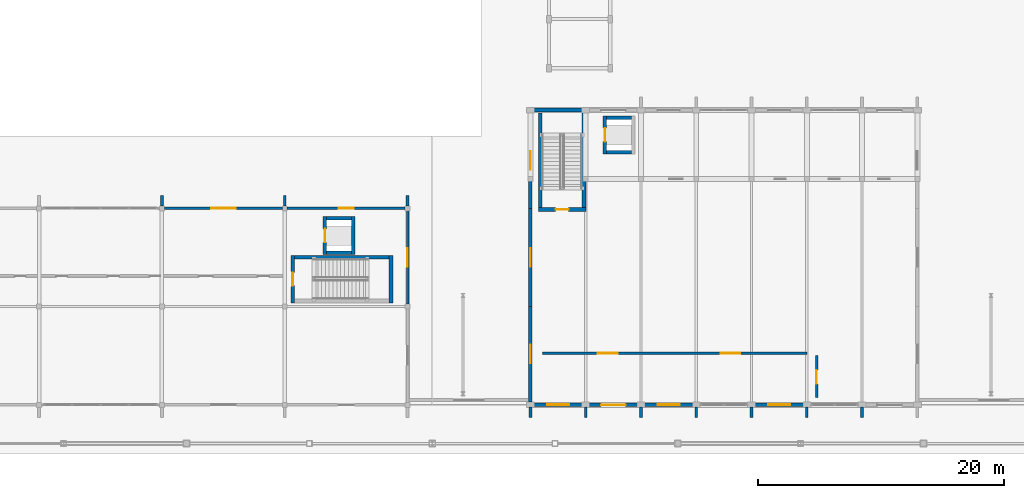
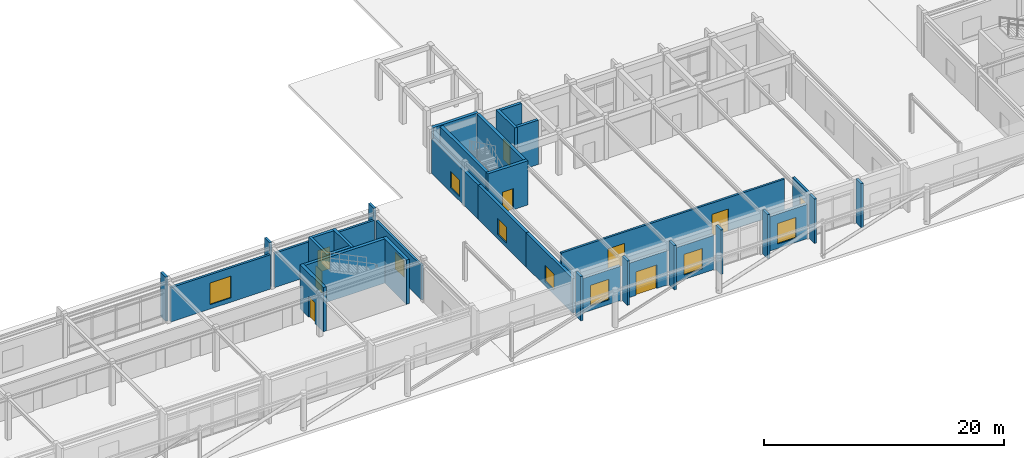
# One storey, part 26 of 61: 36 walls, 9 doors, 8 windows, 17 openings.
"""IFC4 building model written with IfcOpenShell, lengths in metres."""

from ifc_helpers import new_model, si_unit, direction, frame, frame_2d, origin, place, context, subcontext, project, spatial, rectangle, extrude, material, layer, layer_set, type_object, element, fill, save


model = new_model("IFC4")

# Units and contexts
model_context = context("Model", 3, precision=1e-05, world=origin(), true_north=direction((0.0, 1.0)))
body_context = subcontext(model_context, "Body", "Model", "MODEL_VIEW")
ifc_project = project(units=[si_unit("LENGTHUNIT", "METRE"), si_unit("AREAUNIT", "SQUARE_METRE"), si_unit("VOLUMEUNIT", "CUBIC_METRE"), si_unit("PLANEANGLEUNIT", "RADIAN"), si_unit("MASSUNIT", "GRAM", prefix="KILO")], contexts=[model_context])

# Site, building, storey
site_placement = place(None, origin())
site = spatial("IfcSite", under=ifc_project, at=site_placement, CompositionType="ELEMENT")
building_placement = place(site_placement, origin())
building = spatial("IfcBuilding", under=site, at=building_placement, Name="Zimvara Arc Housing Community", CompositionType="ELEMENT")
storey_placement = place(building_placement, origin())
storey = spatial("IfcBuildingStorey", under=building, at=storey_placement, Name="L00", CompositionType="ELEMENT", Elevation=0.0)

# Wall, opening, window
ifc_material_1 = material(Name="Board-Marked Fair-Faced Concrete C40/50", Category="concrete")
ifc_layer_1 = layer(ifc_material_1, 0.284912109375)
ifc_layer_set_1 = layer_set([ifc_layer_1], Name="Board-Marked Fair-Faced Concrete C40/50")
wall_type_1 = type_object("IfcWallType", Name="EWL-HALL-285", PredefinedType="SOLIDWALL", material=ifc_layer_set_1)
wall_1_placement = place(storey_placement, frame((68.25, 3.60009765625, 0.0), z_axis=(0.0, 0.0, 1.0), x_axis=(1.0, 0.0, 0.0)))
wall_1 = element("IfcWall", 1, at=wall_1_placement, inside=storey, type_object=wall_type_1, Name="ewall:hall:L00:south:b0", PredefinedType="SOLIDWALL", context=body_context, shape_type="SweptSolid", body=[
    extrude(rectangle(XDim=4.0, YDim=0.284912109375, at=frame_2d((2.0, 0.0))), origin(), (0.0, 0.0, 1.0), 3.5),
])
opening_1_placement = place(wall_1_placement, frame((1.10009765625, 0.0, 0.449951171875)))
opening_1 = element("IfcOpeningElement", 2, at=opening_1_placement, cuts=wall_1, Name="Opening W17", PredefinedType="OPENING", context=body_context, shape_type="SweptSolid", body=[
    extrude(rectangle(XDim=1.800048828125, YDim=2.10009765625, at=frame_2d((0.89990234375, 1.050048828125))), frame((0.0, 0.15234375, 0.0), z_axis=(0.0, -1.0, 0.0), x_axis=(1.0, 0.0, 0.0)), (0.0, 0.0, 1.0), 0.304931640625),
])
ifc_material_2 = material(Name="Solar Control Low-E Double Glazing", Category="glass")
window_type_1 = type_object("IfcWindowType", Name="WIN-HALL-1800x2100", PartitioningType="DOUBLE_PANEL_HORIZONTAL", PredefinedType="WINDOW", material=ifc_material_2)
window_1_placement = place(opening_1_placement, origin())
window_1 = element("IfcWindow", 3, at=window_1_placement, inside=storey, type_object=window_type_1, Name="win:hall:L00:south:b0", OverallHeight=2.10009765625, OverallWidth=1.800048828125, PartitioningType="DOUBLE_PANEL_HORIZONTAL", PredefinedType="WINDOW", context=body_context, shape_type="SweptSolid", body=[
    extrude(rectangle(XDim=1.800048828125, YDim=2.10009765625, at=frame_2d((0.89990234375, 1.050048828125))), frame((0.0, 0.030029296875, 0.0), z_axis=(0.0, -1.0, 0.0), x_axis=(1.0, 0.0, 0.0)), (0.0, 0.0, 1.0), 0.06005859375),
])
fill(opening_1, window_1)

# Wall, opening, door
wall_2_placement = place(storey_placement, frame((72.75, 3.60009765625, 0.0), z_axis=(0.0, 0.0, 1.0), x_axis=(1.0, 0.0, 0.0)))
wall_2 = element("IfcWall", 4, at=wall_2_placement, inside=storey, type_object=wall_type_1, Name="ewall:hall:L00:south:b1", PredefinedType="SOLIDWALL", context=body_context, shape_type="SweptSolid", body=[
    extrude(rectangle(XDim=4.0, YDim=0.284912109375, at=frame_2d((2.0, 0.0))), origin(), (0.0, 0.0, 1.0), 3.5),
])
opening_2_placement = place(wall_2_placement, frame((1.0, 0.0, 0.0)))
opening_2 = element("IfcOpeningElement", 5, at=opening_2_placement, cuts=wall_2, Name="Opening ED03", PredefinedType="OPENING", context=body_context, shape_type="SweptSolid", body=[
    extrude(rectangle(XDim=2.0, YDim=2.39990234375, at=frame_2d((1.0, 1.199951171875))), frame((0.0, 0.15234375, 0.0), z_axis=(0.0, -1.0, 0.0), x_axis=(1.0, 0.0, 0.0)), (0.0, 0.0, 1.0), 0.304931640625),
])
ifc_material_3 = material(Name="Anodised Aluminium AW-6063", Category="aluminium")
door_type_1 = type_object("IfcDoorType", Name="EDR-HALL-2000x2400", OperationType="DOUBLE_DOOR_SINGLE_SWING", PredefinedType="DOOR", material=ifc_material_3)
door_1_placement = place(opening_2_placement, origin())
door_1 = element("IfcDoor", 6, at=door_1_placement, inside=storey, type_object=door_type_1, Name="edoor:hall:L00:south:b1", OperationType="DOUBLE_DOOR_SINGLE_SWING", OverallHeight=2.39990234375, OverallWidth=2.0, PredefinedType="DOOR", context=body_context, shape_type="SweptSolid", body=[
    extrude(rectangle(XDim=2.0, YDim=2.39990234375, at=frame_2d((1.0, 1.199951171875))), frame((0.0, 0.02490234375, 0.0), z_axis=(0.0, -1.0, 0.0), x_axis=(1.0, 0.0, 0.0)), (0.0, 0.0, 1.0), 0.050048828125),
])
fill(opening_2, door_1)

# Wall, opening, window
wall_3_placement = place(storey_placement, frame((77.25, 3.60009765625, 0.0), z_axis=(0.0, 0.0, 1.0), x_axis=(1.0, 0.0, 0.0)))
wall_3 = element("IfcWall", 7, at=wall_3_placement, inside=storey, type_object=wall_type_1, Name="ewall:hall:L00:south:b2", PredefinedType="SOLIDWALL", context=body_context, shape_type="SweptSolid", body=[
    extrude(rectangle(XDim=4.0, YDim=0.284912109375, at=frame_2d((2.0, 0.0))), origin(), (0.0, 0.0, 1.0), 3.5),
])
opening_3_placement = place(wall_3_placement, frame((1.10009765625, 0.0, 0.449951171875)))
opening_3 = element("IfcOpeningElement", 8, at=opening_3_placement, cuts=wall_3, Name="Opening W17", PredefinedType="OPENING", context=body_context, shape_type="SweptSolid", body=[
    extrude(rectangle(XDim=1.800048828125, YDim=2.10009765625, at=frame_2d((0.89990234375, 1.050048828125))), frame((0.0, 0.15234375, 0.0), z_axis=(0.0, -1.0, 0.0), x_axis=(1.0, 0.0, 0.0)), (0.0, 0.0, 1.0), 0.304931640625),
])
window_2_placement = place(opening_3_placement, origin())
window_2 = element("IfcWindow", 9, at=window_2_placement, inside=storey, type_object=window_type_1, Name="win:hall:L00:south:b2", OverallHeight=2.10009765625, OverallWidth=1.800048828125, PartitioningType="DOUBLE_PANEL_HORIZONTAL", PredefinedType="WINDOW", context=body_context, shape_type="SweptSolid", body=[
    extrude(rectangle(XDim=1.800048828125, YDim=2.10009765625, at=frame_2d((0.89990234375, 1.050048828125))), frame((0.0, 0.030029296875, 0.0), z_axis=(0.0, -1.0, 0.0), x_axis=(1.0, 0.0, 0.0)), (0.0, 0.0, 1.0), 0.06005859375),
])
fill(opening_3, window_2)

wall_4_placement = place(storey_placement, frame((86.25, 3.60009765625, 0.0), z_axis=(0.0, 0.0, 1.0), x_axis=(1.0, 0.0, 0.0)))
wall_4 = element("IfcWall", 10, at=wall_4_placement, inside=storey, type_object=wall_type_1, Name="ewall:hall:L00:south:b4", PredefinedType="SOLIDWALL", context=body_context, shape_type="SweptSolid", body=[
    extrude(rectangle(XDim=4.0, YDim=0.284912109375, at=frame_2d((2.0, 0.0))), origin(), (0.0, 0.0, 1.0), 3.5),
])
opening_4_placement = place(wall_4_placement, frame((1.10009765625, 0.0, 0.449951171875)))
opening_4 = element("IfcOpeningElement", 11, at=opening_4_placement, cuts=wall_4, Name="Opening W17", PredefinedType="OPENING", context=body_context, shape_type="SweptSolid", body=[
    extrude(rectangle(XDim=1.800048828125, YDim=2.10009765625, at=frame_2d((0.89990234375, 1.050048828125))), frame((0.0, 0.15234375, 0.0), z_axis=(0.0, -1.0, 0.0), x_axis=(1.0, 0.0, 0.0)), (0.0, 0.0, 1.0), 0.304931640625),
])
window_3_placement = place(opening_4_placement, origin())
window_3 = element("IfcWindow", 12, at=window_3_placement, inside=storey, type_object=window_type_1, Name="win:hall:L00:south:b4", OverallHeight=2.10009765625, OverallWidth=1.800048828125, PartitioningType="DOUBLE_PANEL_HORIZONTAL", PredefinedType="WINDOW", context=body_context, shape_type="SweptSolid", body=[
    extrude(rectangle(XDim=1.800048828125, YDim=2.10009765625, at=frame_2d((0.89990234375, 1.050048828125))), frame((0.0, 0.030029296875, 0.0), z_axis=(0.0, -1.0, 0.0), x_axis=(1.0, 0.0, 0.0)), (0.0, 0.0, 1.0), 0.06005859375),
])
fill(opening_4, window_3)

wall_5_placement = place(storey_placement, frame((68.0, 3.85009765625, 0.0), z_axis=(0.0, 0.0, 1.0), x_axis=(0.0, 1.0, 0.0)))
wall_5 = element("IfcWall", 13, at=wall_5_placement, inside=storey, type_object=wall_type_1, Name="ewall:hall:L00:west:b0", PredefinedType="SOLIDWALL", context=body_context, shape_type="SweptSolid", body=[
    extrude(rectangle(XDim=7.75, YDim=0.284912109375, at=frame_2d((3.875, 0.0))), origin(), (0.0, 0.0, 1.0), 3.5),
])
opening_5_placement = place(wall_5_placement, frame((3.125, 0.0, 0.449951171875)))
opening_5 = element("IfcOpeningElement", 14, at=opening_5_placement, cuts=wall_5, Name="Opening W07", PredefinedType="OPENING", context=body_context, shape_type="SweptSolid", body=[
    extrude(rectangle(XDim=1.5, YDim=1.64990234375, at=frame_2d((0.75, 0.824951171875))), frame((0.0, 0.15234375, 0.0), z_axis=(0.0, -1.0, 0.0), x_axis=(1.0, 0.0, 0.0)), (0.0, 0.0, 1.0), 0.304931640625),
])
ifc_material_4 = material(Name="Solar Control Low-E Double Glazing", Category="glass")
window_type_2 = type_object("IfcWindowType", Name="WIN-RES-1500x1650", PartitioningType="DOUBLE_PANEL_VERTICAL", PredefinedType="WINDOW", material=ifc_material_4)
window_4_placement = place(opening_5_placement, origin())
window_4 = element("IfcWindow", 15, at=window_4_placement, inside=storey, type_object=window_type_2, Name="win:hall:L00:west:b0", OverallHeight=1.64990234375, OverallWidth=1.5, PartitioningType="DOUBLE_PANEL_VERTICAL", PredefinedType="WINDOW", context=body_context, shape_type="SweptSolid", body=[
    extrude(rectangle(XDim=1.5, YDim=1.64990234375, at=frame_2d((0.75, 0.824951171875))), frame((0.0, 0.030029296875, 0.0), z_axis=(0.0, -1.0, 0.0), x_axis=(1.0, 0.0, 0.0)), (0.0, 0.0, 1.0), 0.06005859375),
])
fill(opening_5, window_4)

wall_6_placement = place(storey_placement, frame((68.0, 11.60009765625, 0.0), z_axis=(0.0, 0.0, 1.0), x_axis=(0.0, 1.0, 0.0)))
wall_6 = element("IfcWall", 16, at=wall_6_placement, inside=storey, type_object=wall_type_1, Name="ewall:hall:L00:west:b1", PredefinedType="SOLIDWALL", context=body_context, shape_type="SweptSolid", body=[
    extrude(rectangle(XDim=8.0, YDim=0.284912109375, at=frame_2d((4.0, 0.0))), origin(), (0.0, 0.0, 1.0), 3.5),
])
opening_6_placement = place(wall_6_placement, frame((3.25, 0.0, 0.449951171875)))
opening_6 = element("IfcOpeningElement", 17, at=opening_6_placement, cuts=wall_6, Name="Opening W07", PredefinedType="OPENING", context=body_context, shape_type="SweptSolid", body=[
    extrude(rectangle(XDim=1.5, YDim=1.64990234375, at=frame_2d((0.75, 0.824951171875))), frame((0.0, 0.15234375, 0.0), z_axis=(0.0, -1.0, 0.0), x_axis=(1.0, 0.0, 0.0)), (0.0, 0.0, 1.0), 0.304931640625),
])
window_5_placement = place(opening_6_placement, origin())
window_5 = element("IfcWindow", 18, at=window_5_placement, inside=storey, type_object=window_type_2, Name="win:hall:L00:west:b1", OverallHeight=1.64990234375, OverallWidth=1.5, PartitioningType="DOUBLE_PANEL_VERTICAL", PredefinedType="WINDOW", context=body_context, shape_type="SweptSolid", body=[
    extrude(rectangle(XDim=1.5, YDim=1.64990234375, at=frame_2d((0.75, 0.824951171875))), frame((0.0, 0.030029296875, 0.0), z_axis=(0.0, -1.0, 0.0), x_axis=(1.0, 0.0, 0.0)), (0.0, 0.0, 1.0), 0.06005859375),
])
fill(opening_6, window_5)

wall_7_placement = place(storey_placement, frame((68.0, 19.60009765625, 0.0), z_axis=(0.0, 0.0, 1.0), x_axis=(0.0, 1.0, 0.0)))
wall_7 = element("IfcWall", 19, at=wall_7_placement, inside=storey, type_object=wall_type_1, Name="ewall:hall:L00:west:b2", PredefinedType="SOLIDWALL", context=body_context, shape_type="SweptSolid", body=[
    extrude(rectangle(XDim=7.75, YDim=0.284912109375, at=frame_2d((3.875, 0.0))), origin(), (0.0, 0.0, 1.0), 3.5),
])
opening_7_placement = place(wall_7_placement, frame((3.125, 0.0, 0.449951171875)))
opening_7 = element("IfcOpeningElement", 20, at=opening_7_placement, cuts=wall_7, Name="Opening W07", PredefinedType="OPENING", context=body_context, shape_type="SweptSolid", body=[
    extrude(rectangle(XDim=1.5, YDim=1.64990234375, at=frame_2d((0.75, 0.824951171875))), frame((0.0, 0.15234375, 0.0), z_axis=(0.0, -1.0, 0.0), x_axis=(1.0, 0.0, 0.0)), (0.0, 0.0, 1.0), 0.304931640625),
])
window_6_placement = place(opening_7_placement, origin())
window_6 = element("IfcWindow", 21, at=window_6_placement, inside=storey, type_object=window_type_2, Name="win:hall:L00:west:b2", OverallHeight=1.64990234375, OverallWidth=1.5, PartitioningType="DOUBLE_PANEL_VERTICAL", PredefinedType="WINDOW", context=body_context, shape_type="SweptSolid", body=[
    extrude(rectangle(XDim=1.5, YDim=1.64990234375, at=frame_2d((0.75, 0.824951171875))), frame((0.0, 0.030029296875, 0.0), z_axis=(0.0, -1.0, 0.0), x_axis=(1.0, 0.0, 0.0)), (0.0, 0.0, 1.0), 0.06005859375),
])
fill(opening_7, window_6)

# Walls
ifc_material_5 = material(Name="Board-Marked Fair-Faced Concrete C35/45", Category="concrete")
ifc_layer_2 = layer(ifc_material_5, 0.219970703125)
ifc_layer_set_2 = layer_set([ifc_layer_2], Name="Board-Marked Fair-Faced Concrete C35/45")
wall_type_2 = type_object("IfcWallType", Name="EWL-PARA-220", PredefinedType="PARAPET", material=ifc_layer_set_2)
for number, where, z_axis, x_axis, name in (
    (22, (68.0, 2.550048828125, 0.0), (0.0, 0.0, 1.0), (0.0, 1.0, 0.0), "finwall:hall:L00:s:0"),
    (23, (72.5, 2.550048828125, 0.0), (0.0, 0.0, 1.0), (0.0, 1.0, 0.0), "finwall:hall:L00:s:1"),
    (24, (77.0, 2.550048828125, 0.0), (0.0, 0.0, 1.0), (0.0, 1.0, 0.0), "finwall:hall:L00:s:2"),
    (25, (81.5, 2.550048828125, 0.0), (0.0, 0.0, 1.0), (0.0, 1.0, 0.0), "finwall:hall:L00:s:3"),
    (26, (86.0, 2.550048828125, 0.0), (0.0, 0.0, 1.0), (0.0, 1.0, 0.0), "finwall:hall:L00:s:4"),
    (27, (90.5, 2.550048828125, 0.0), (0.0, 0.0, 1.0), (0.0, 1.0, 0.0), "finwall:hall:L00:s:5"),
    (28, (95.0, 2.550048828125, 0.0), (0.0, 0.0, 1.0), (0.0, 1.0, 0.0), "finwall:hall:L00:s:6"),
    (29, (38.0, 19.780029296875, 0.0), (0.0, 0.0, 1.0), (0.0, 1.0, 0.0), "finwall:shops:L00:n:4"),
    (30, (48.0, 19.780029296875, 0.0), (0.0, 0.0, 1.0), (0.0, 1.0, 0.0), "finwall:shops:L00:n:5"),
    (31, (58.0, 19.780029296875, 0.0), (0.0, 0.0, 1.0), (0.0, 1.0, 0.0), "finwall:shops:L00:n:6"),
):
    element("IfcWall", number, at=place(storey_placement, frame(where, z_axis=z_axis, x_axis=x_axis)), inside=storey, type_object=wall_type_2, Name=name, PredefinedType="PARAPET", context=body_context, shape_type="SweptSolid", body=[
        extrude(rectangle(XDim=0.869873046875, YDim=0.219970703125, at=frame_2d((0.43505859375, 0.0))), origin(), (0.0, 0.0, 1.0), 4.5),
    ])

# Wall, opening, window
ifc_material_6 = material(Name="Board-Marked Fair-Faced Concrete C35/45", Category="concrete")
ifc_layer_3 = layer(ifc_material_6, 0.215087890625)
ifc_layer_set_3 = layer_set([ifc_layer_3], Name="Board-Marked Fair-Faced Concrete C35/45")
wall_type_3 = type_object("IfcWallType", Name="EWL-SHOP-215", PredefinedType="SOLIDWALL", material=ifc_layer_set_3)
wall_8_placement = place(storey_placement, frame((38.195068359375, 19.60009765625, 0.0), z_axis=(0.0, 0.0, 1.0), x_axis=(1.0, 0.0, 0.0)))
wall_8 = element("IfcWall", 32, at=wall_8_placement, inside=storey, type_object=wall_type_3, Name="ewall:shops:L00:north:b4", PredefinedType="SOLIDWALL", context=body_context, shape_type="SweptSolid", body=[
    extrude(rectangle(XDim=9.60986328125, YDim=0.215087890625, at=frame_2d((4.804931640625, 0.0))), origin(), (0.0, 0.0, 1.0), 3.5),
])
opening_8_placement = place(wall_8_placement, frame((3.804931640625, 0.0, 0.449951171875)))
opening_8 = element("IfcOpeningElement", 33, at=opening_8_placement, cuts=wall_8, Name="Opening W19", PredefinedType="OPENING", context=body_context, shape_type="SweptSolid", body=[
    extrude(rectangle(XDim=2.0, YDim=2.199951171875, at=frame_2d((1.0, 1.10009765625))), frame((0.0, 0.117431640625, 0.0), z_axis=(0.0, -1.0, 0.0), x_axis=(1.0, 0.0, 0.0)), (0.0, 0.0, 1.0), 0.235107421875),
])
ifc_material_7 = material(Name="Solar Control Low-E Double Glazing", Category="glass")
window_type_3 = type_object("IfcWindowType", Name="WIN-SHOP-2000x2200", PartitioningType="DOUBLE_PANEL_VERTICAL", PredefinedType="WINDOW", material=ifc_material_7)
window_7_placement = place(opening_8_placement, origin())
window_7 = element("IfcWindow", 34, at=window_7_placement, inside=storey, type_object=window_type_3, Name="win:shops:L00:north:b4", OverallHeight=2.199951171875, OverallWidth=2.0, PartitioningType="DOUBLE_PANEL_VERTICAL", PredefinedType="WINDOW", context=body_context, shape_type="SweptSolid", body=[
    extrude(rectangle(XDim=2.0, YDim=2.199951171875, at=frame_2d((1.0, 1.10009765625))), frame((0.0, 0.030029296875, 0.0), z_axis=(0.0, -1.0, 0.0), x_axis=(1.0, 0.0, 0.0)), (0.0, 0.0, 1.0), 0.06005859375),
])
fill(opening_8, window_7)

# Wall, opening, door
wall_9_placement = place(storey_placement, frame((48.195068359375, 19.60009765625, 0.0), z_axis=(0.0, 0.0, 1.0), x_axis=(1.0, 0.0, 0.0)))
wall_9 = element("IfcWall", 35, at=wall_9_placement, inside=storey, type_object=wall_type_3, Name="ewall:shops:L00:north:b5", PredefinedType="SOLIDWALL", context=body_context, shape_type="SweptSolid", body=[
    extrude(rectangle(XDim=9.60986328125, YDim=0.215087890625, at=frame_2d((4.804931640625, 0.0))), origin(), (0.0, 0.0, 1.0), 3.5),
])
opening_9_placement = place(wall_9_placement, frame((4.205078125, 0.0, 0.0)))
opening_9 = element("IfcOpeningElement", 36, at=opening_9_placement, cuts=wall_9, Name="Opening ED04", PredefinedType="OPENING", context=body_context, shape_type="SweptSolid", body=[
    extrude(rectangle(XDim=1.199951171875, YDim=2.25, at=frame_2d((0.60009765625, 1.125))), frame((0.0, 0.117431640625, 0.0), z_axis=(0.0, -1.0, 0.0), x_axis=(1.0, 0.0, 0.0)), (0.0, 0.0, 1.0), 0.235107421875),
])
ifc_material_8 = material(Name="Anodised Aluminium AW-6063", Category="aluminium")
door_type_2 = type_object("IfcDoorType", Name="EDR-SHOP-1200x2250", OperationType="NOTDEFINED", PredefinedType="DOOR", material=ifc_material_8)
door_2_placement = place(opening_9_placement, origin())
door_2 = element("IfcDoor", 37, at=door_2_placement, inside=storey, type_object=door_type_2, Name="edoor:shops:L00:north:b5", OperationType="SINGLE_SWING_RIGHT", OverallHeight=2.25, OverallWidth=1.199951171875, PredefinedType="DOOR", context=body_context, shape_type="SweptSolid", body=[
    extrude(rectangle(XDim=1.199951171875, YDim=2.25, at=frame_2d((0.60009765625, 1.125))), frame((0.0, 0.02490234375, 0.0), z_axis=(0.0, -1.0, 0.0), x_axis=(1.0, 0.0, 0.0)), (0.0, 0.0, 1.0), 0.050048828125),
])
fill(opening_9, door_2)

# Wall, opening, window
wall_10_placement = place(storey_placement, frame((58.0, 11.794921875, 0.0), z_axis=(0.0, 0.0, 1.0), x_axis=(0.0, 1.0, 0.0)))
wall_10 = element("IfcWall", 38, at=wall_10_placement, inside=storey, type_object=wall_type_3, Name="ewall:shops:L00:east:b1", PredefinedType="SOLIDWALL", context=body_context, shape_type="SweptSolid", body=[
    extrude(rectangle(XDim=7.610107421875, YDim=0.215087890625, at=frame_2d((3.80517578125, 0.0))), origin(), (0.0, 0.0, 1.0), 3.5),
])
opening_10_placement = place(wall_10_placement, frame((3.054931640625, 0.0, 0.449951171875)))
opening_10 = element("IfcOpeningElement", 39, at=opening_10_placement, cuts=wall_10, Name="Opening W07", PredefinedType="OPENING", context=body_context, shape_type="SweptSolid", body=[
    extrude(rectangle(XDim=1.5, YDim=1.64990234375, at=frame_2d((0.75, 0.824951171875))), frame((0.0, 0.117431640625, 0.0), z_axis=(0.0, -1.0, 0.0), x_axis=(1.0, 0.0, 0.0)), (0.0, 0.0, 1.0), 0.235107421875),
])
window_8_placement = place(opening_10_placement, origin())
window_8 = element("IfcWindow", 40, at=window_8_placement, inside=storey, type_object=window_type_2, Name="win:shops:L00:east:b1", OverallHeight=1.64990234375, OverallWidth=1.5, PartitioningType="DOUBLE_PANEL_VERTICAL", PredefinedType="WINDOW", context=body_context, shape_type="SweptSolid", body=[
    extrude(rectangle(XDim=1.5, YDim=1.64990234375, at=frame_2d((0.75, 0.824951171875))), frame((0.0, 0.030029296875, 0.0), z_axis=(0.0, -1.0, 0.0), x_axis=(1.0, 0.0, 0.0)), (0.0, 0.0, 1.0), 0.06005859375),
])
fill(opening_10, window_8)

# Wall, openings, doors
ifc_material_9 = material(Name="Concrete C35/45", Category="concrete")
ifc_layer_4 = layer(ifc_material_9, 0.199951171875)
ifc_layer_set_4 = layer_set([ifc_layer_4], Name="Concrete C35/45")
wall_type_4 = type_object("IfcWallType", Name="IWL-CORR-200", PredefinedType="SOLIDWALL", material=ifc_layer_set_4)
wall_11_placement = place(storey_placement, frame((69.0, 7.800048828125, 0.0), z_axis=(0.0, 0.0, 1.0), x_axis=(1.0, 0.0, 0.0)))
wall_11 = element("IfcWall", 41, at=wall_11_placement, inside=storey, type_object=wall_type_4, Name="iwall:civ:hall_foyer", PredefinedType="SOLIDWALL", context=body_context, shape_type="SweptSolid", body=[
    extrude(rectangle(XDim=21.5, YDim=0.199951171875, at=frame_2d((10.75, 0.0))), origin(), (0.0, 0.0, 1.0), 3.39990234375),
])
opening_11_placement = place(wall_11_placement, frame((4.5, 0.0, 0.0)))
opening_11 = element("IfcOpeningElement", 42, at=opening_11_placement, cuts=wall_11, Name="Opening D09", PredefinedType="OPENING", context=body_context, shape_type="SweptSolid", body=[
    extrude(rectangle(XDim=1.60009765625, YDim=2.25, at=frame_2d((0.800048828125, 1.125))), frame((0.0, 0.10986328125, 0.0), z_axis=(0.0, -1.0, 0.0), x_axis=(1.0, 0.0, 0.0)), (0.0, 0.0, 1.0), 0.219970703125),
])
opening_12_placement = place(wall_11_placement, frame((14.5, 0.0, 0.0)))
opening_12 = element("IfcOpeningElement", 43, at=opening_12_placement, cuts=wall_11, Name="Opening D09", PredefinedType="OPENING", context=body_context, shape_type="SweptSolid", body=[
    extrude(rectangle(XDim=1.60009765625, YDim=2.25, at=frame_2d((0.800048828125, 1.125))), frame((0.0, 0.10986328125, 0.0), z_axis=(0.0, -1.0, 0.0), x_axis=(1.0, 0.0, 0.0)), (0.0, 0.0, 1.0), 0.219970703125),
])
ifc_material_10 = material(Name="Mozambican Hardwood", Category="wood")
door_type_3 = type_object("IfcDoorType", Name="IDR-HALL-1600x2250", OperationType="DOUBLE_DOOR_SINGLE_SWING", PredefinedType="DOOR", material=ifc_material_10)
door_3_placement = place(opening_11_placement, origin())
door_3 = element("IfcDoor", 44, at=door_3_placement, inside=storey, type_object=door_type_3, Name="idoor:civ:hall_d1", OperationType="DOUBLE_DOOR_SINGLE_SWING", OverallHeight=2.25, OverallWidth=1.60009765625, PredefinedType="DOOR", context=body_context, shape_type="SweptSolid", body=[
    extrude(rectangle(XDim=1.60009765625, YDim=2.25, at=frame_2d((0.800048828125, 1.125))), frame((0.0, 0.02490234375, 0.0), z_axis=(0.0, -1.0, 0.0), x_axis=(1.0, 0.0, 0.0)), (0.0, 0.0, 1.0), 0.050048828125),
])
fill(opening_11, door_3)
door_4_placement = place(opening_12_placement, origin())
door_4 = element("IfcDoor", 45, at=door_4_placement, inside=storey, type_object=door_type_3, Name="idoor:civ:hall_d2", OperationType="DOUBLE_DOOR_SINGLE_SWING", OverallHeight=2.25, OverallWidth=1.60009765625, PredefinedType="DOOR", context=body_context, shape_type="SweptSolid", body=[
    extrude(rectangle(XDim=1.60009765625, YDim=2.25, at=frame_2d((0.800048828125, 1.125))), frame((0.0, 0.02490234375, 0.0), z_axis=(0.0, -1.0, 0.0), x_axis=(1.0, 0.0, 0.0)), (0.0, 0.0, 1.0), 0.050048828125),
])
fill(opening_12, door_4)

# Wall, opening, door
wall_12_placement = place(storey_placement, frame((91.300048828125, 4.199951171875, 0.0), z_axis=(0.0, 0.0, 1.0), x_axis=(0.0, 1.0, 0.0)))
wall_12 = element("IfcWall", 46, at=wall_12_placement, inside=storey, type_object=wall_type_4, Name="iwall:civ:hall_cater", PredefinedType="SOLIDWALL", context=body_context, shape_type="SweptSolid", body=[
    extrude(rectangle(XDim=3.400146484375, YDim=0.199951171875, at=frame_2d((1.7001953125, 0.0))), origin(), (0.0, 0.0, 1.0), 3.39990234375),
])
opening_13_placement = place(wall_12_placement, frame((1.10009765625, 0.0, 0.0)))
opening_13 = element("IfcOpeningElement", 47, at=opening_13_placement, cuts=wall_12, Name="Opening D07", PredefinedType="OPENING", context=body_context, shape_type="SweptSolid", body=[
    extrude(rectangle(XDim=1.1201171875, YDim=2.14990234375, at=frame_2d((0.56005859375, 1.074951171875))), frame((0.0, 0.10986328125, 0.0), z_axis=(0.0, -1.0, 0.0), x_axis=(1.0, 0.0, 0.0)), (0.0, 0.0, 1.0), 0.219970703125),
])
ifc_material_11 = material(Name="Mozambican Hardwood", Category="wood")
door_type_4 = type_object("IfcDoorType", Name="IDR-AMN-1120x2150", OperationType="NOTDEFINED", PredefinedType="DOOR", material=ifc_material_11)
door_5_placement = place(opening_13_placement, origin())
door_5 = element("IfcDoor", 48, at=door_5_placement, inside=storey, type_object=door_type_4, Name="idoor:civ:cater_d", OperationType="SINGLE_SWING_LEFT", OverallHeight=2.14990234375, OverallWidth=1.1201171875, PredefinedType="DOOR", context=body_context, shape_type="SweptSolid", body=[
    extrude(rectangle(XDim=1.1201171875, YDim=2.14990234375, at=frame_2d((0.56005859375, 1.074951171875))), frame((0.0, 0.02490234375, 0.0), z_axis=(0.0, -1.0, 0.0), x_axis=(1.0, 0.0, 0.0)), (0.0, 0.0, 1.0), 0.050048828125),
])
fill(opening_13, door_5)

ifc_material_12 = material(Name="Concrete C40/50", Category="concrete")
ifc_layer_5 = layer(ifc_material_12, 0.280029296875)
ifc_layer_set_5 = layer_set([ifc_layer_5], Name="Concrete C40/50")
wall_type_5 = type_object("IfcWallType", Name="WL-CORE-280", PredefinedType="SHEAR", material=ifc_layer_set_5)
wall_13_placement = place(storey_placement, frame((74.06494140625, 24.02490234375, 0.0), z_axis=(0.0, 0.0, 1.0), x_axis=(0.0, 1.0, 0.0)))
wall_13 = element("IfcWall", 49, at=wall_13_placement, inside=storey, type_object=wall_type_5, Name="lwall:LP-H1:L00:front", PredefinedType="SHEAR", context=body_context, shape_type="SweptSolid", body=[
    extrude(rectangle(XDim=3.090087890625, YDim=0.280029296875, at=frame_2d((1.544921875, 0.0))), origin(), (0.0, 0.0, 1.0), 4.5),
])
opening_14_placement = place(wall_13_placement, frame((0.9951171875, 0.0, 0.0)))
opening_14 = element("IfcOpeningElement", 50, at=opening_14_placement, cuts=wall_13, Name="Opening LD-LP-H1", PredefinedType="OPENING", context=body_context, shape_type="SweptSolid", body=[
    extrude(rectangle(XDim=1.10009765625, YDim=2.14990234375, at=frame_2d((0.550048828125, 1.074951171875))), frame((0.0, 0.14990234375, 0.0), z_axis=(0.0, -1.0, 0.0), x_axis=(1.0, 0.0, 0.0)), (0.0, 0.0, 1.0), 0.300048828125),
])
ifc_material_13 = material(Name="Anodised Aluminium AW-6063", Category="aluminium")
door_type_5 = type_object("IfcDoorType", Name="IDR-LD-1100x2150", OperationType="DOUBLE_DOOR_SLIDING", PredefinedType="DOOR", material=ifc_material_13)
door_6_placement = place(opening_14_placement, origin())
door_6 = element("IfcDoor", 51, at=door_6_placement, inside=storey, type_object=door_type_5, Name="Lift LP-H1 Sliding Landing Door L00", OperationType="DOUBLE_DOOR_SLIDING", OverallHeight=2.14990234375, OverallWidth=1.10009765625, PredefinedType="DOOR", context=body_context, shape_type="SweptSolid", body=[
    extrude(rectangle(XDim=1.10009765625, YDim=2.14990234375, at=frame_2d((0.550048828125, 1.074951171875))), frame((0.0, 0.02490234375, 0.0), z_axis=(0.0, -1.0, 0.0), x_axis=(1.0, 0.0, 0.0)), (0.0, 0.0, 1.0), 0.050048828125),
])
fill(opening_14, door_6)

# Walls
for number, where, z_axis, x_axis, name in (
    (52, (74.205078125, 24.1650390625, 0.0), (0.0, 0.0, 1.0), (1.0, 0.0, 0.0), "lwall:LP-H1:L00:left"),
    (53, (74.205078125, 26.97509765625, 0.0), (0.0, 0.0, 1.0), (1.0, 0.0, 0.0), "lwall:LP-H1:L00:right"),
):
    element("IfcWall", number, at=place(storey_placement, frame(where, z_axis=z_axis, x_axis=x_axis)), inside=storey, type_object=wall_type_5, Name=name, PredefinedType="SHEAR", context=body_context, shape_type="SweptSolid", body=[
        extrude(rectangle(XDim=2.030029296875, YDim=0.280029296875, at=frame_2d((1.01513671875, 0.0))), origin(), (0.0, 0.0, 1.0), 4.5),
    ])

# Wall, opening, door
wall_14_placement = place(storey_placement, frame((51.264892578125, 15.824951171875, 0.0), z_axis=(0.0, 0.0, 1.0), x_axis=(0.0, 1.0, 0.0)))
wall_14 = element("IfcWall", 54, at=wall_14_placement, inside=storey, type_object=wall_type_5, Name="lwall:LP-S1:L00:front", PredefinedType="SHEAR", context=body_context, shape_type="SweptSolid", body=[
    extrude(rectangle(XDim=3.090087890625, YDim=0.280029296875, at=frame_2d((1.544921875, 0.0))), origin(), (0.0, 0.0, 1.0), 4.5),
])
opening_15_placement = place(wall_14_placement, frame((0.9951171875, 0.0, 0.0)))
opening_15 = element("IfcOpeningElement", 55, at=opening_15_placement, cuts=wall_14, Name="Opening LD-LP-S1", PredefinedType="OPENING", context=body_context, shape_type="SweptSolid", body=[
    extrude(rectangle(XDim=1.10009765625, YDim=2.14990234375, at=frame_2d((0.550048828125, 1.074951171875))), frame((0.0, 0.14990234375, 0.0), z_axis=(0.0, -1.0, 0.0), x_axis=(1.0, 0.0, 0.0)), (0.0, 0.0, 1.0), 0.300048828125),
])
door_7_placement = place(opening_15_placement, origin())
door_7 = element("IfcDoor", 56, at=door_7_placement, inside=storey, type_object=door_type_5, Name="Lift LP-S1 Sliding Landing Door L00", OperationType="DOUBLE_DOOR_SLIDING", OverallHeight=2.14990234375, OverallWidth=1.10009765625, PredefinedType="DOOR", context=body_context, shape_type="SweptSolid", body=[
    extrude(rectangle(XDim=1.10009765625, YDim=2.14990234375, at=frame_2d((0.550048828125, 1.074951171875))), frame((0.0, 0.02490234375, 0.0), z_axis=(0.0, -1.0, 0.0), x_axis=(1.0, 0.0, 0.0)), (0.0, 0.0, 1.0), 0.050048828125),
])
fill(opening_15, door_7)

# Walls
wall_15_placement = place(storey_placement, frame((53.574951171875, 15.824951171875, 0.0), z_axis=(0.0, 0.0, 1.0), x_axis=(0.0, 1.0, 0.0)))
element("IfcWall", 57, at=wall_15_placement, inside=storey, type_object=wall_type_5, Name="lwall:LP-S1:L00:back", PredefinedType="SHEAR", context=body_context, shape_type="SweptSolid", body=[
    extrude(rectangle(XDim=3.090087890625, YDim=0.280029296875, at=frame_2d((1.544921875, 0.0))), origin(), (0.0, 0.0, 1.0), 4.5),
])
for number, where, z_axis, x_axis, name in (
    (58, (51.405029296875, 15.965087890625, 0.0), (0.0, 0.0, 1.0), (1.0, 0.0, 0.0), "lwall:LP-S1:L00:left"),
    (59, (51.405029296875, 18.77490234375, 0.0), (0.0, 0.0, 1.0), (1.0, 0.0, 0.0), "lwall:LP-S1:L00:right"),
):
    element("IfcWall", number, at=place(storey_placement, frame(where, z_axis=z_axis, x_axis=x_axis)), inside=storey, type_object=wall_type_5, Name=name, PredefinedType="SHEAR", context=body_context, shape_type="SweptSolid", body=[
        extrude(rectangle(XDim=2.030029296875, YDim=0.280029296875, at=frame_2d((1.01513671875, 0.0))), origin(), (0.0, 0.0, 1.0), 4.5),
    ])

# Wall, opening, door
ifc_material_14 = material(Name="Concrete C40/50", Category="concrete")
ifc_layer_6 = layer(ifc_material_14, 0.300048828125)
ifc_layer_set_6 = layer_set([ifc_layer_6], Name="Concrete C40/50")
wall_type_6 = type_object("IfcWallType", Name="WL-CORE-300", PredefinedType="SHEAR", material=ifc_layer_set_6)
wall_16_placement = place(storey_placement, frame((72.514892578125, 19.5048828125, 0.0), z_axis=(0.0, 0.0, 1.0), x_axis=(-1.0, 0.0, 0.0)))
wall_16 = element("IfcWall", 60, at=wall_16_placement, inside=storey, type_object=wall_type_6, Name="cwall:ST-H1:L00:near", PredefinedType="SHEAR", context=body_context, shape_type="SweptSolid", body=[
    extrude(rectangle(XDim=3.869873046875, YDim=0.300048828125, at=frame_2d((1.93505859375, 0.0))), origin(), (0.0, 0.0, 1.0), 4.5),
])
opening_16_placement = place(wall_16_placement, frame((1.409912109375, 0.0, 0.0)))
opening_16 = element("IfcOpeningElement", 61, at=opening_16_placement, cuts=wall_16, Name="Opening FD-ST2", PredefinedType="OPENING", context=body_context, shape_type="SweptSolid", body=[
    extrude(rectangle(XDim=1.050048828125, YDim=2.14990234375, at=frame_2d((0.52490234375, 1.074951171875))), frame((0.0, 0.159912109375, 0.0), z_axis=(0.0, -1.0, 0.0), x_axis=(1.0, 0.0, 0.0)), (0.0, 0.0, 1.0), 0.320068359375),
])
ifc_material_15 = material(Name="Anodised Aluminium AW-6063", Category="aluminium")
door_type_6 = type_object("IfcDoorType", Name="IDR-ST-1050x2150", OperationType="NOTDEFINED", PredefinedType="DOOR", material=ifc_material_15)
door_8_placement = place(opening_16_placement, origin())
door_8 = element("IfcDoor", 62, at=door_8_placement, inside=storey, type_object=door_type_6, Name="idoor:ST-H1:L00:entry", OperationType="SINGLE_SWING_RIGHT", OverallHeight=2.14990234375, OverallWidth=1.050048828125, PredefinedType="DOOR", context=body_context, shape_type="SweptSolid", body=[
    extrude(rectangle(XDim=1.050048828125, YDim=2.14990234375, at=frame_2d((0.52490234375, 1.074951171875))), frame((0.0, 0.02490234375, 0.0), z_axis=(0.0, -1.0, 0.0), x_axis=(1.0, 0.0, 0.0)), (0.0, 0.0, 1.0), 0.050048828125),
])
fill(opening_16, door_8)

# Walls
wall_17_placement = place(storey_placement, frame((72.429931640625, 27.60009765625, 0.0), z_axis=(0.0, 0.0, 1.0), x_axis=(-1.0, 0.0, 0.0)))
element("IfcWall", 63, at=wall_17_placement, inside=storey, type_object=wall_type_6, Name="cwall:ST-H1:L00:far", PredefinedType="SHEAR", context=body_context, shape_type="SweptSolid", body=[
    extrude(rectangle(XDim=4.35986328125, YDim=0.300048828125, at=frame_2d((2.179931640625, 0.0))), origin(), (0.0, 0.0, 1.0), 4.5),
])
for number, where, z_axis, x_axis, name in (
    (64, (72.364990234375, 19.655029296875, 0.0), (0.0, 0.0, 1.0), (0.0, 1.0, 0.0), "cwall:ST-H1:L00:left"),
    (65, (68.794921875, 19.655029296875, 0.0), (0.0, 0.0, 1.0), (0.0, 1.0, 0.0), "cwall:ST-H1:L00:right"),
):
    element("IfcWall", number, at=place(storey_placement, frame(where, z_axis=z_axis, x_axis=x_axis)), inside=storey, type_object=wall_type_6, Name=name, PredefinedType="SHEAR", context=body_context, shape_type="SweptSolid", body=[
        extrude(rectangle(XDim=7.68994140625, YDim=0.300048828125, at=frame_2d((3.844970703125, 0.0))), origin(), (0.0, 0.0, 1.0), 4.5),
    ])

# Wall, opening, door
wall_18_placement = place(storey_placement, frame((48.655029296875, 11.905029296875, 0.0), z_axis=(0.0, 0.0, 1.0), x_axis=(0.0, 1.0, 0.0)))
wall_18 = element("IfcWall", 66, at=wall_18_placement, inside=storey, type_object=wall_type_6, Name="cwall:ST-S1:L00:near", PredefinedType="SHEAR", context=body_context, shape_type="SweptSolid", body=[
    extrude(rectangle(XDim=3.869873046875, YDim=0.300048828125, at=frame_2d((1.93505859375, 0.0))), origin(), (0.0, 0.0, 1.0), 4.5),
])
opening_17_placement = place(wall_18_placement, frame((1.409912109375, 0.0, 0.0)))
opening_17 = element("IfcOpeningElement", 67, at=opening_17_placement, cuts=wall_18, Name="Opening FD-ST2", PredefinedType="OPENING", context=body_context, shape_type="SweptSolid", body=[
    extrude(rectangle(XDim=1.050048828125, YDim=2.14990234375, at=frame_2d((0.52490234375, 1.074951171875))), frame((0.0, 0.159912109375, 0.0), z_axis=(0.0, -1.0, 0.0), x_axis=(1.0, 0.0, 0.0)), (0.0, 0.0, 1.0), 0.320068359375),
])
door_9_placement = place(opening_17_placement, origin())
door_9 = element("IfcDoor", 68, at=door_9_placement, inside=storey, type_object=door_type_6, Name="idoor:ST-S1:L00:entry", OperationType="SINGLE_SWING_RIGHT", OverallHeight=2.14990234375, OverallWidth=1.050048828125, PredefinedType="DOOR", context=body_context, shape_type="SweptSolid", body=[
    extrude(rectangle(XDim=1.050048828125, YDim=2.14990234375, at=frame_2d((0.52490234375, 1.074951171875))), frame((0.0, 0.02490234375, 0.0), z_axis=(0.0, -1.0, 0.0), x_axis=(1.0, 0.0, 0.0)), (0.0, 0.0, 1.0), 0.050048828125),
])
fill(opening_17, door_9)

# Walls
wall_19_placement = place(storey_placement, frame((56.64501953125, 11.905029296875, 0.0), z_axis=(0.0, 0.0, 1.0), x_axis=(0.0, 1.0, 0.0)))
element("IfcWall", 69, at=wall_19_placement, inside=storey, type_object=wall_type_6, Name="cwall:ST-S1:L00:far", PredefinedType="SHEAR", context=body_context, shape_type="SweptSolid", body=[
    extrude(rectangle(XDim=3.869873046875, YDim=0.300048828125, at=frame_2d((1.93505859375, 0.0))), origin(), (0.0, 0.0, 1.0), 4.5),
])
wall_20_placement = place(storey_placement, frame((48.804931640625, 15.625, 0.0), z_axis=(0.0, 0.0, 1.0), x_axis=(1.0, 0.0, 0.0)))
element("IfcWall", 70, at=wall_20_placement, inside=storey, type_object=wall_type_6, Name="cwall:ST-S1:L00:right", PredefinedType="SHEAR", context=body_context, shape_type="SweptSolid", body=[
    extrude(rectangle(XDim=7.690185546875, YDim=0.300048828125, at=frame_2d((3.84521484375, 0.0))), origin(), (0.0, 0.0, 1.0), 4.5),
])

save(model, "model.ifc")
